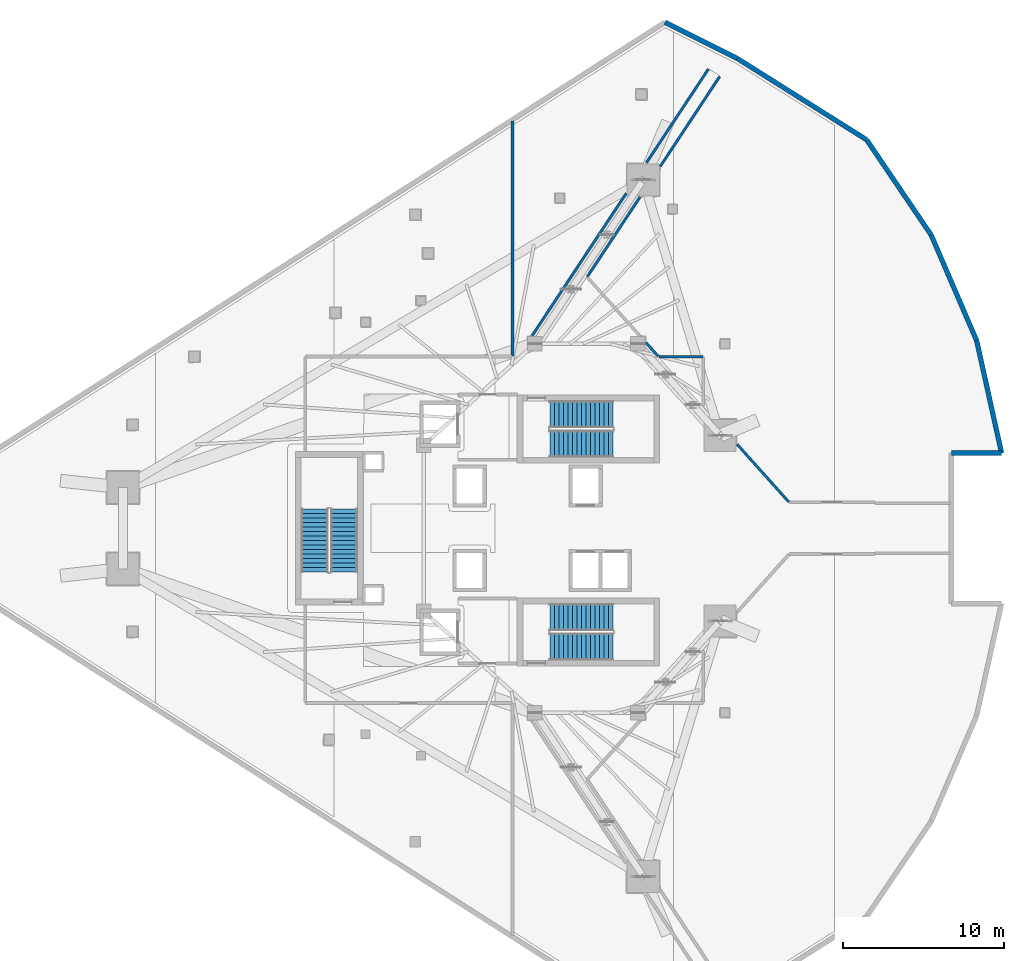
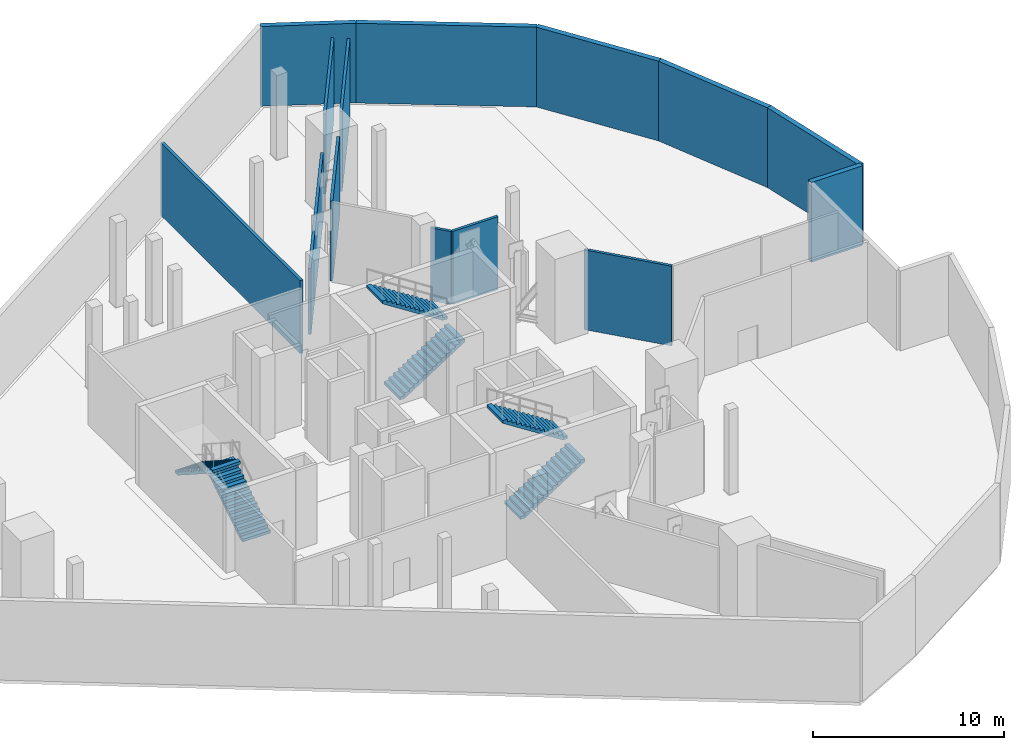
# One storey, part 6 of 13: 14 walls, 6 stair flights, 3 elements without a shape of their own.
"""IFC4 building model written with IfcOpenShell, lengths in metres."""

from ifc_helpers import new_model, si_unit, direction, frame, frame_2d, origin, place, context, subcontext, project, spatial, polyline, rectangle, outline, extrude, material, layer, layer_set, type_object, element, aggregate, save


model = new_model("IFC4")

# Units and contexts
model_context = context("Model", 3, precision=1e-05, world=origin(), true_north=direction((0.0, 1.0)))
body_context = subcontext(model_context, "Body", "Model", "MODEL_VIEW")
ifc_project = project(units=[si_unit("LENGTHUNIT", "METRE"), si_unit("AREAUNIT", "SQUARE_METRE"), si_unit("VOLUMEUNIT", "CUBIC_METRE"), si_unit("PLANEANGLEUNIT", "RADIAN"), si_unit("MASSUNIT", "GRAM", prefix="KILO")], contexts=[model_context])

# Site, building, storey
site_placement = place(None, origin())
site = spatial("IfcSite", under=ifc_project, at=site_placement, CompositionType="ELEMENT")
building_placement = place(site_placement, origin())
building = spatial("IfcBuilding", under=site, at=building_placement, Name="Qorvath Tower", CompositionType="ELEMENT")
storey_placement = place(building_placement, frame((0.0, 0.0, 174.60009765625)))
storey = spatial("IfcBuildingStorey", under=building, at=storey_placement, Name="L40", CompositionType="ELEMENT", Elevation=174.60009765625)

# Walls
ifc_material_1 = material(Name="Gypsum shaftliner on steel studs", Category="steel")
ifc_layer_1 = layer(ifc_material_1, 0.179931640625)
ifc_layer_set_1 = layer_set([ifc_layer_1], Name="FW-LOBBY")
wall_type_1 = type_object("IfcWallType", Name="FW-LOBBY", PredefinedType="PARTITIONING", material=ifc_layer_set_1)
wall_1_placement = place(storey_placement, frame((-25.0, 10.68310546875, 0.0), z_axis=(0.0, 0.0, 1.0), x_axis=(0.0, 1.0, 0.0)))
element("IfcWall", 1, at=wall_1_placement, inside=storey, type_object=wall_type_1, Name="Interior Partition IW-T1-L40-010", PredefinedType="PARTITIONING", context=body_context, shape_type="SweptSolid", body=[
    extrude(rectangle(XDim=14.60302734375, YDim=0.179931640625, at=frame_2d((7.301513671875, 0.0))), origin(), (0.0, 0.0, 1.0), 4.6640625),
])
ifc_material_2 = material(Name="Double acoustic gypsum board on steel studs", Category="steel")
ifc_layer_2 = layer(ifc_material_2, 0.159912109375)
ifc_layer_set_2 = layer_set([ifc_layer_2], Name="IW-ACOUSTIC-160")
wall_type_2 = type_object("IfcWallType", Name="IW-ACOUSTIC-160", PredefinedType="PARTITIONING", material=ifc_layer_set_2)
wall_2_placement = place(storey_placement, frame((-17.925537109375, 20.79443359375, 0.0), z_axis=(0.0, 0.0, 1.0), x_axis=(-0.551498549629, -0.83417585062, 0.0)))
element("IfcWall", 2, at=wall_2_placement, inside=storey, type_object=wall_type_2, Name="Interior Partition IW-T1-L40-011", PredefinedType="PARTITIONING", context=body_context, shape_type="SweptSolid", body=[
    extrude(rectangle(XDim=10.589599609375, YDim=0.159912109375, at=frame_2d((5.294921875, 0.0))), origin(), (0.0, 0.0, 1.0), 4.2197265625),
])
wall_3_placement = place(storey_placement, frame((-12.823974609375, 28.51123046875, 0.0), z_axis=(0.0, 0.0, 1.0), x_axis=(-0.551467665493, -0.834196268222, 0.0)))
element("IfcWall", 3, at=wall_3_placement, inside=storey, type_object=wall_type_2, Name="Interior Partition IW-T1-L40-012", PredefinedType="PARTITIONING", context=body_context, shape_type="SweptSolid", body=[
    extrude(rectangle(XDim=6.980712890625, YDim=0.159912109375, at=frame_2d((3.490234375, 0.0))), origin(), (0.0, 0.0, 1.0), 5.099853515625),
])
wall_4_placement = place(storey_placement, frame((-12.123291015625, 28.04833984375, 0.0), z_axis=(0.0, 0.0, 1.0), x_axis=(-0.551458373424, -0.834202410918, 0.0)))
element("IfcWall", 4, at=wall_4_placement, inside=storey, type_object=wall_type_2, Name="Interior Partition IW-T1-L40-013", PredefinedType="PARTITIONING", context=body_context, shape_type="SweptSolid", body=[
    extrude(rectangle(XDim=6.69970703125, YDim=0.159912109375, at=frame_2d((3.349853515625, 0.0))), origin(), (0.0, 0.0, 1.0), 5.099853515625),
])
wall_5_placement = place(storey_placement, frame((-17.0693359375, 20.566162109375, 0.0), z_axis=(0.0, 0.0, 1.0), x_axis=(-0.551466512671, -0.834197030325, 0.0)))
element("IfcWall", 5, at=wall_5_placement, inside=storey, type_object=wall_type_2, Name="Interior Partition IW-T1-L40-014", PredefinedType="PARTITIONING", context=body_context, shape_type="SweptSolid", body=[
    extrude(rectangle(XDim=5.931396484375, YDim=0.159912109375, at=frame_2d((2.9658203125, 0.0))), origin(), (0.0, 0.0, 1.0), 5.099853515625),
])
wall_6_placement = place(storey_placement, frame((-16.693359375, 11.513916015625, 0.0), z_axis=(0.0, 0.0, 1.0), x_axis=(0.667644592199, -0.744480153199, 0.0)))
element("IfcWall", 6, at=wall_6_placement, inside=storey, type_object=wall_type_2, Name="Interior Partition IW-T1-L40-016", PredefinedType="PARTITIONING", context=body_context, shape_type="SweptSolid", body=[
    extrude(rectangle(XDim=1.124755859375, YDim=0.159912109375, at=frame_2d((0.5625, 0.0))), origin(), (0.0, 0.0, 1.0), 4.6640625),
])
wall_7_placement = place(storey_placement, frame((-15.90087890625, 10.657958984375, 0.0), z_axis=(0.0, 0.0, 1.0), x_axis=(1.0, 0.0, 0.0)))
element("IfcWall", 7, at=wall_7_placement, inside=storey, type_object=wall_type_2, Name="Interior Partition IW-T1-L40-017", PredefinedType="PARTITIONING", context=body_context, shape_type="SweptSolid", body=[
    extrude(rectangle(XDim=2.73388671875, YDim=0.159912109375, at=frame_2d((1.366943359375, 0.0))), origin(), (0.0, 0.0, 1.0), 4.6640625),
])
wall_8_placement = place(storey_placement, frame((-11.0400390625, 5.20849609375, 0.0), z_axis=(0.0, 0.0, 1.0), x_axis=(0.667539194933, -0.744574659271, 0.0)))
element("IfcWall", 8, at=wall_8_placement, inside=storey, type_object=wall_type_2, Name="Interior Partition IW-T1-L40-019", PredefinedType="PARTITIONING", context=body_context, shape_type="SweptSolid", body=[
    extrude(rectangle(XDim=4.810791015625, YDim=0.159912109375, at=frame_2d((2.4052734375, 0.0))), origin(), (0.0, 0.0, 1.0), 5.099853515625),
])
ifc_material_3 = material(Name="Precast concrete C45/55", Category="concrete")
ifc_layer_3 = layer(ifc_material_3, 0.300048828125)
ifc_layer_set_3 = layer_set([ifc_layer_3], Name="WL-EW-LOG-300")
wall_type_3 = type_object("IfcWallType", Name="WL-EW-LOG-300", PredefinedType="SOLIDWALL", material=ifc_layer_set_3)
wall_9_placement = place(storey_placement, frame((2.270751953125, 4.66552734375, 0.0), z_axis=(0.0, 0.0, 1.0), x_axis=(1.0, 0.0, 0.0)))
element("IfcWall", 9, at=wall_9_placement, inside=storey, type_object=wall_type_3, Name="Tower Precast Loggia Wall L40-10.1", PredefinedType="SOLIDWALL", context=body_context, shape_type="SweptSolid", body=[
    extrude(rectangle(XDim=3.1103515625, YDim=0.300048828125, at=frame_2d((1.55517578125, 0.0))), origin(), (0.0, 0.0, 1.0), 5.099853515625),
])
for number, where, z_axis, x_axis, name in (
    (10, (3.837158203125, 11.641357421875, 0.0), (0.0, 0.0, 1.0), (0.216098211534, -0.976371631589, 0.0), "Tower Precast Loggia Wall L40-11.1"),
    (11, (1.01171875, 18.203369140625, 0.0), (0.0, 0.0, 1.0), (0.39547356494, -0.918477359238, 0.0), "Tower Precast Loggia Wall L40-12.1"),
    (12, (-2.9951171875, 24.11865234375, 0.0), (0.0, 0.0, 1.0), (0.560820188689, -0.827937628061, 0.0), "Tower Precast Loggia Wall L40-13.1"),
):
    element("IfcWall", number, at=place(storey_placement, frame(where, z_axis=z_axis, x_axis=x_axis)), inside=storey, type_object=wall_type_3, Name=name, PredefinedType="SOLIDWALL", context=body_context, shape_type="SweptSolid", body=[
        extrude(rectangle(XDim=7.14453125, YDim=0.300048828125, at=frame_2d((3.572265625, 0.0))), origin(), (0.0, 0.0, 1.0), 5.099853515625),
    ])
wall_10_placement = place(storey_placement, frame((-11.03759765625, 29.1767578125, 0.0), z_axis=(0.0, 0.0, 1.0), x_axis=(0.846502219536, -0.532385191681, 0.0)))
element("IfcWall", 13, at=wall_10_placement, inside=storey, type_object=wall_type_3, Name="Tower Precast Loggia Wall L40-14.1", PredefinedType="SOLIDWALL", context=body_context, shape_type="SweptSolid", body=[
    extrude(rectangle(XDim=9.500732421875, YDim=0.300048828125, at=frame_2d((4.75048828125, 0.0))), origin(), (0.0, 0.0, 1.0), 5.099853515625),
])
wall_11_placement = place(storey_placement, frame((-15.5263671875, 31.421142578125, 0.0), z_axis=(0.0, 0.0, 1.0), x_axis=(0.894427191, -0.4472135955, 0.0)))
element("IfcWall", 14, at=wall_11_placement, inside=storey, type_object=wall_type_3, Name="Tower Precast Loggia Wall L40-15.1", PredefinedType="SOLIDWALL", context=body_context, shape_type="SweptSolid", body=[
    extrude(rectangle(XDim=5.0185546875, YDim=0.300048828125, at=frame_2d((2.50927734375, 0.0))), origin(), (0.0, 0.0, 1.0), 5.099853515625),
])

# Stair, stair flights
ifc_material_4 = material(Name="Concrete C50/60", Category="concrete")
stair_type = type_object("IfcStairType", Name="ST-H540", PredefinedType="HALF_TURN_STAIR", material=ifc_material_4)
stair_1_placement = place(storey_placement, origin())
stair_1 = element("IfcStair", 15, at=stair_1_placement, inside=storey, type_object=stair_type, Name="L40 Tower Exit Stair 1", PredefinedType="HALF_TURN_STAIR")
ifc_material_5 = material(Name="Concrete C50/60", Category="concrete")
ifc_layer_4 = layer(ifc_material_5, 0.14990234375)
ifc_layer_set_4 = layer_set([ifc_layer_4], Name="SF-H540")
stair_flight_type = type_object("IfcStairFlightType", Name="SF-H540", PredefinedType="STRAIGHT", material=ifc_layer_set_4)
stair_flight_1_placement = place(storey_placement, frame((-22.669921875, 5.239990234375, 0.0), z_axis=(0.0, 0.0, 1.0), x_axis=(1.0, 0.0, 0.0)))
stair_flight_1 = element("IfcStairFlight", 16, at=stair_flight_1_placement, type_object=stair_flight_type, Name="TS1 flight 1", NumberOfRisers=15, NumberOfTreads=14, PredefinedType="STRAIGHT", RiserHeight=0.18, TreadLength=0.28, context=body_context, shape_type="SweptSolid", body=[
    extrude(outline(polyline([(0.0, 0.0), (0.0, 0.179931640625), (0.280029296875, 0.179931640625), (0.280029296875, 0.360107421875), (0.56005859375, 0.360107421875), (0.56005859375, 0.5400390625), (0.840087890625, 0.5400390625), (0.840087890625, 0.719970703125), (1.1201171875, 0.719970703125), (1.1201171875, 0.89990234375), (1.39990234375, 0.89990234375), (1.39990234375, 1.080078125), (1.679931640625, 1.080078125), (1.679931640625, 1.260009765625), (1.9599609375, 1.260009765625), (1.9599609375, 1.43994140625), (2.239990234375, 1.43994140625), (2.239990234375, 1.6201171875), (2.52001953125, 1.6201171875), (2.52001953125, 1.800048828125), (2.800048828125, 1.800048828125), (2.800048828125, 1.97998046875), (3.080078125, 1.97998046875), (3.080078125, 2.159912109375), (3.360107421875, 2.159912109375), (3.360107421875, 2.340087890625), (3.639892578125, 2.340087890625), (3.639892578125, 2.52001953125), (3.919921875, 2.52001953125), (3.919921875, 2.699951171875), (3.919921875, 2.341796875), (0.277099609375, 0.0), (0.0, 0.0)])), frame((0.0, 0.83984375, 0.0), z_axis=(0.0, -1.0, 0.0), x_axis=(1.0, 0.0, 0.0)), (0.0, 0.0, 1.0), 1.679931640625),
])
stair_flight_2_placement = place(storey_placement, frame((-18.75, 7.070068359375, 2.699951171875), z_axis=(0.0, 0.0, 1.0), x_axis=(-1.0, 0.0, 0.0)))
stair_flight_2 = element("IfcStairFlight", 17, at=stair_flight_2_placement, type_object=stair_flight_type, Name="TS1 flight 2", NumberOfRisers=15, NumberOfTreads=14, PredefinedType="STRAIGHT", RiserHeight=0.18, TreadLength=0.28, context=body_context, shape_type="SweptSolid", body=[
    extrude(outline(polyline([(0.0, 0.0), (0.0, 0.179931640625), (0.280029296875, 0.179931640625), (0.280029296875, 0.360107421875), (0.56005859375, 0.360107421875), (0.56005859375, 0.5400390625), (0.840087890625, 0.5400390625), (0.840087890625, 0.719970703125), (1.1201171875, 0.719970703125), (1.1201171875, 0.89990234375), (1.39990234375, 0.89990234375), (1.39990234375, 1.080078125), (1.679931640625, 1.080078125), (1.679931640625, 1.260009765625), (1.9599609375, 1.260009765625), (1.9599609375, 1.43994140625), (2.239990234375, 1.43994140625), (2.239990234375, 1.6201171875), (2.52001953125, 1.6201171875), (2.52001953125, 1.800048828125), (2.800048828125, 1.800048828125), (2.800048828125, 1.97998046875), (3.080078125, 1.97998046875), (3.080078125, 2.159912109375), (3.360107421875, 2.159912109375), (3.360107421875, 2.340087890625), (3.639892578125, 2.340087890625), (3.639892578125, 2.52001953125), (3.919921875, 2.52001953125), (3.919921875, 2.699951171875), (3.919921875, 2.341796875), (0.277099609375, 0.0), (0.0, 0.0)])), frame((0.0, 0.83984375, 0.0), z_axis=(0.0, -1.0, 0.0), x_axis=(1.0, 0.0, 0.0)), (0.0, 0.0, 1.0), 1.679931640625),
])
aggregate(stair_1, [stair_flight_1, stair_flight_2])

stair_2_placement = place(storey_placement, origin())
stair_2 = element("IfcStair", 18, at=stair_2_placement, inside=storey, type_object=stair_type, Name="L40 Tower Exit Stair 2", PredefinedType="HALF_TURN_STAIR")
stair_flight_3_placement = place(storey_placement, frame((-22.669921875, -7.360107421875, 0.0), z_axis=(0.0, 0.0, 1.0), x_axis=(1.0, 0.0, 0.0)))
stair_flight_3 = element("IfcStairFlight", 19, at=stair_flight_3_placement, type_object=stair_flight_type, Name="TS2 flight 1", NumberOfRisers=15, NumberOfTreads=14, PredefinedType="STRAIGHT", RiserHeight=0.18, TreadLength=0.28, context=body_context, shape_type="SweptSolid", body=[
    extrude(outline(polyline([(0.0, 0.0), (0.0, 0.179931640625), (0.280029296875, 0.179931640625), (0.280029296875, 0.360107421875), (0.56005859375, 0.360107421875), (0.56005859375, 0.5400390625), (0.840087890625, 0.5400390625), (0.840087890625, 0.719970703125), (1.1201171875, 0.719970703125), (1.1201171875, 0.89990234375), (1.39990234375, 0.89990234375), (1.39990234375, 1.080078125), (1.679931640625, 1.080078125), (1.679931640625, 1.260009765625), (1.9599609375, 1.260009765625), (1.9599609375, 1.43994140625), (2.239990234375, 1.43994140625), (2.239990234375, 1.6201171875), (2.52001953125, 1.6201171875), (2.52001953125, 1.800048828125), (2.800048828125, 1.800048828125), (2.800048828125, 1.97998046875), (3.080078125, 1.97998046875), (3.080078125, 2.159912109375), (3.360107421875, 2.159912109375), (3.360107421875, 2.340087890625), (3.639892578125, 2.340087890625), (3.639892578125, 2.52001953125), (3.919921875, 2.52001953125), (3.919921875, 2.699951171875), (3.919921875, 2.341796875), (0.277099609375, 0.0), (0.0, 0.0)])), frame((0.0, 0.83984375, 0.0), z_axis=(0.0, -1.0, 0.0), x_axis=(1.0, 0.0, 0.0)), (0.0, 0.0, 1.0), 1.679931640625),
])
stair_flight_4_placement = place(storey_placement, frame((-18.75, -5.530029296875, 2.699951171875), z_axis=(0.0, 0.0, 1.0), x_axis=(-1.0, 0.0, 0.0)))
stair_flight_4 = element("IfcStairFlight", 20, at=stair_flight_4_placement, type_object=stair_flight_type, Name="TS2 flight 2", NumberOfRisers=15, NumberOfTreads=14, PredefinedType="STRAIGHT", RiserHeight=0.18, TreadLength=0.28, context=body_context, shape_type="SweptSolid", body=[
    extrude(outline(polyline([(0.0, 0.0), (0.0, 0.179931640625), (0.280029296875, 0.179931640625), (0.280029296875, 0.360107421875), (0.56005859375, 0.360107421875), (0.56005859375, 0.5400390625), (0.840087890625, 0.5400390625), (0.840087890625, 0.719970703125), (1.1201171875, 0.719970703125), (1.1201171875, 0.89990234375), (1.39990234375, 0.89990234375), (1.39990234375, 1.080078125), (1.679931640625, 1.080078125), (1.679931640625, 1.260009765625), (1.9599609375, 1.260009765625), (1.9599609375, 1.43994140625), (2.239990234375, 1.43994140625), (2.239990234375, 1.6201171875), (2.52001953125, 1.6201171875), (2.52001953125, 1.800048828125), (2.800048828125, 1.800048828125), (2.800048828125, 1.97998046875), (3.080078125, 1.97998046875), (3.080078125, 2.159912109375), (3.360107421875, 2.159912109375), (3.360107421875, 2.340087890625), (3.639892578125, 2.340087890625), (3.639892578125, 2.52001953125), (3.919921875, 2.52001953125), (3.919921875, 2.699951171875), (3.919921875, 2.341796875), (0.277099609375, 0.0), (0.0, 0.0)])), frame((0.0, 0.83984375, 0.0), z_axis=(0.0, -1.0, 0.0), x_axis=(1.0, 0.0, 0.0)), (0.0, 0.0, 1.0), 1.679931640625),
])
aggregate(stair_2, [stair_flight_3, stair_flight_4])

stair_3_placement = place(storey_placement, origin())
stair_3 = element("IfcStair", 21, at=stair_3_placement, inside=storey, type_object=stair_type, Name="L40 Tower Exit Stair 3", PredefinedType="HALF_TURN_STAIR")
stair_flight_5_placement = place(storey_placement, frame((-35.43994140625, -2.719970703125, 0.0), z_axis=(0.0, 0.0, 1.0), x_axis=(0.0, 1.0, 0.0)))
stair_flight_5 = element("IfcStairFlight", 22, at=stair_flight_5_placement, type_object=stair_flight_type, Name="TS3 flight 1", NumberOfRisers=15, NumberOfTreads=14, PredefinedType="STRAIGHT", RiserHeight=0.18, TreadLength=0.28, context=body_context, shape_type="SweptSolid", body=[
    extrude(outline(polyline([(0.0, 0.0), (0.0, 0.179931640625), (0.280029296875, 0.179931640625), (0.280029296875, 0.360107421875), (0.56005859375, 0.360107421875), (0.56005859375, 0.5400390625), (0.840087890625, 0.5400390625), (0.840087890625, 0.719970703125), (1.1201171875, 0.719970703125), (1.1201171875, 0.89990234375), (1.39990234375, 0.89990234375), (1.39990234375, 1.080078125), (1.679931640625, 1.080078125), (1.679931640625, 1.260009765625), (1.9599609375, 1.260009765625), (1.9599609375, 1.43994140625), (2.239990234375, 1.43994140625), (2.239990234375, 1.6201171875), (2.52001953125, 1.6201171875), (2.52001953125, 1.800048828125), (2.800048828125, 1.800048828125), (2.800048828125, 1.97998046875), (3.080078125, 1.97998046875), (3.080078125, 2.159912109375), (3.360107421875, 2.159912109375), (3.360107421875, 2.340087890625), (3.639892578125, 2.340087890625), (3.639892578125, 2.52001953125), (3.919921875, 2.52001953125), (3.919921875, 2.699951171875), (3.919921875, 2.341796875), (0.277099609375, 0.0), (0.0, 0.0)])), frame((0.0, 0.83984375, 0.0), z_axis=(0.0, -1.0, 0.0), x_axis=(1.0, 0.0, 0.0)), (0.0, 0.0, 1.0), 1.679931640625),
])
stair_flight_6_placement = place(storey_placement, frame((-37.27001953125, 1.199951171875, 2.699951171875), z_axis=(0.0, 0.0, 1.0), x_axis=(0.0, -1.0, 0.0)))
stair_flight_6 = element("IfcStairFlight", 23, at=stair_flight_6_placement, type_object=stair_flight_type, Name="TS3 flight 2", NumberOfRisers=15, NumberOfTreads=14, PredefinedType="STRAIGHT", RiserHeight=0.18, TreadLength=0.28, context=body_context, shape_type="SweptSolid", body=[
    extrude(outline(polyline([(0.0, 0.0), (0.0, 0.179931640625), (0.280029296875, 0.179931640625), (0.280029296875, 0.360107421875), (0.56005859375, 0.360107421875), (0.56005859375, 0.5400390625), (0.840087890625, 0.5400390625), (0.840087890625, 0.719970703125), (1.1201171875, 0.719970703125), (1.1201171875, 0.89990234375), (1.39990234375, 0.89990234375), (1.39990234375, 1.080078125), (1.679931640625, 1.080078125), (1.679931640625, 1.260009765625), (1.9599609375, 1.260009765625), (1.9599609375, 1.43994140625), (2.239990234375, 1.43994140625), (2.239990234375, 1.6201171875), (2.52001953125, 1.6201171875), (2.52001953125, 1.800048828125), (2.800048828125, 1.800048828125), (2.800048828125, 1.97998046875), (3.080078125, 1.97998046875), (3.080078125, 2.159912109375), (3.360107421875, 2.159912109375), (3.360107421875, 2.340087890625), (3.639892578125, 2.340087890625), (3.639892578125, 2.52001953125), (3.919921875, 2.52001953125), (3.919921875, 2.699951171875), (3.919921875, 2.341796875), (0.277099609375, 0.0), (0.0, 0.0)])), frame((0.0, 0.83984375, 0.0), z_axis=(0.0, -1.0, 0.0), x_axis=(1.0, 0.0, 0.0)), (0.0, 0.0, 1.0), 1.679931640625),
])
aggregate(stair_3, [stair_flight_5, stair_flight_6])

save(model, "model.ifc")
